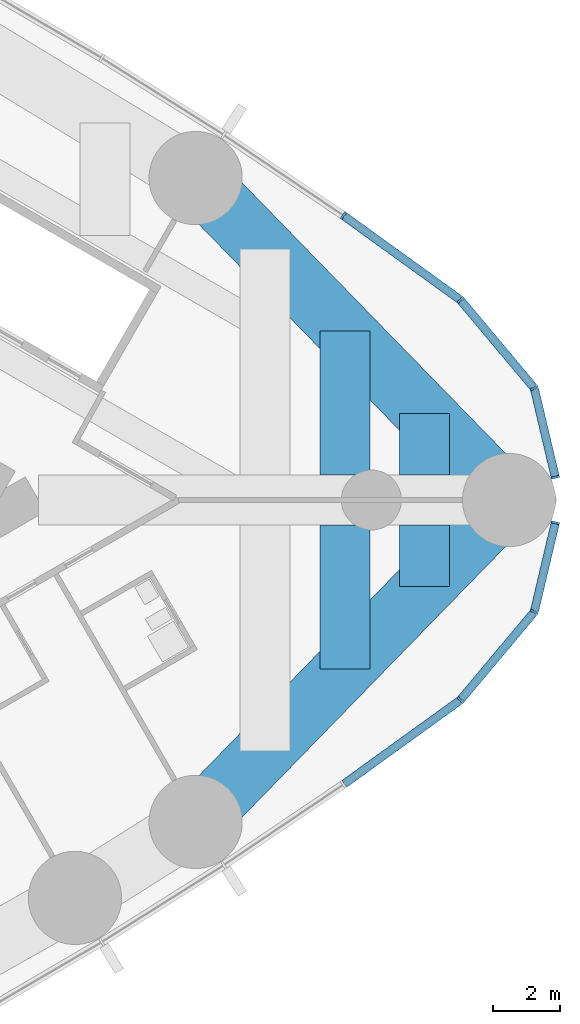
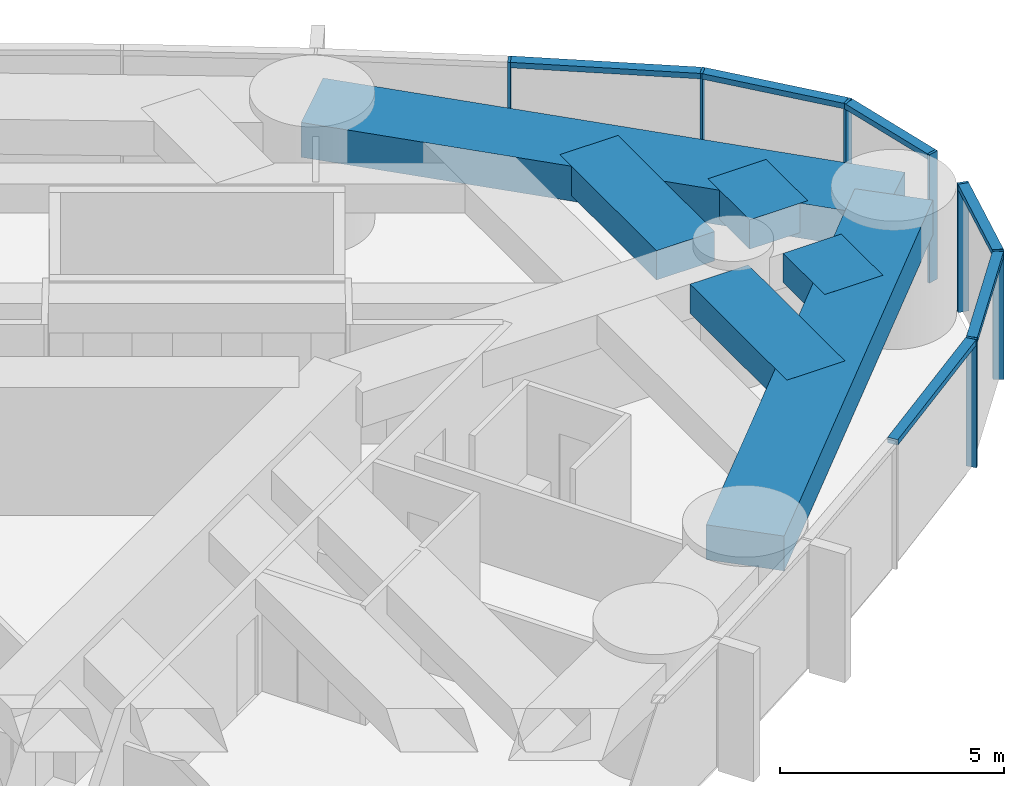
# One storey, part 9 of 19: 13 members, 6 beams, 2 elements without a shape of their own.
"""IFC4 building model written with IfcOpenShell, lengths in metres."""

from ifc_helpers import new_model, si_unit, direction, frame, origin, origin_2d, place, context, subcontext, project, spatial, rectangle, extrude, material, material_profile, profile_set, type_object, element, aggregate, save


model = new_model("IFC4")

# Units and contexts
model_context = context("Model", 3, precision=1e-05, world=origin(), true_north=direction((0.0, 1.0)))
body_context = subcontext(model_context, "Body", "Model", "MODEL_VIEW")
ifc_project = project(units=[si_unit("LENGTHUNIT", "METRE"), si_unit("AREAUNIT", "SQUARE_METRE"), si_unit("VOLUMEUNIT", "CUBIC_METRE"), si_unit("PLANEANGLEUNIT", "RADIAN"), si_unit("MASSUNIT", "GRAM", prefix="KILO")], contexts=[model_context])

# Site, building, storey
site_placement = place(None, origin())
site = spatial("IfcSite", under=ifc_project, at=site_placement, CompositionType="ELEMENT")
building_placement = place(site_placement, origin())
building = spatial("IfcBuilding", under=site, at=building_placement, Name="Lancet Gate Hotel", CompositionType="ELEMENT")
storey_placement = place(building_placement, frame((0.0, 0.0, 173.800048828125)))
storey = spatial("IfcBuildingStorey", under=building, at=storey_placement, Name="L46", CompositionType="ELEMENT", Elevation=173.800048828125)

# Curtain wall, members
ifc_material_1 = material(Name="Aluminium curtain wall", Category="aluminium")
curtain_wall_type = type_object("IfcCurtainWallType", Name="Tower unitised curtain wall", PredefinedType="USERDEFINED", material=ifc_material_1)
curtain_wall_1_placement = place(storey_placement, origin())
curtain_wall_1 = element("IfcCurtainWall", 1, at=curtain_wall_1_placement, inside=storey, type_object=curtain_wall_type, Name="T2 L46 curtain wall 2", ObjectType="UNITISED CURTAIN WALL", PredefinedType="USERDEFINED")
ifc_material_2 = material(Name="Aluminium mullion", Category="aluminium")
ifc_material_profile_1 = material_profile(ifc_material_2, rectangle(XDim=0.06494140625, YDim=0.25, at=origin_2d()), Name="MULLION 65x250")
ifc_profile_set_1 = profile_set([ifc_material_profile_1], Name="Aluminium mullion")
member_type_1 = type_object("IfcMemberType", Name="Aluminium mullion 65x250", PredefinedType="MULLION", material=ifc_profile_set_1)
member_1_placement = place(storey_placement, frame((64.174560546875, -6.01123046875, 0.0), z_axis=(0.0, 0.0, 1.0), x_axis=(0.741693452951, 0.670739011725, 0.0)))
member_1 = element("IfcMember", 2, at=member_1_placement, type_object=member_type_1, Name="T2 L46 curtain wall 2 mullion 10", PredefinedType="MULLION", context=body_context, shape_type="SweptSolid", body=[
    extrude(rectangle(XDim=0.06494140625, YDim=0.25, at=origin_2d()), origin(), (0.0, 0.0, 1.0), 3.5),
])
member_2_placement = place(storey_placement, frame((66.3935546875, -3.362548828125, 0.0), z_axis=(0.0, 0.0, 1.0), x_axis=(0.472146326362, 0.881520190638, 0.0)))
member_2 = element("IfcMember", 3, at=member_2_placement, type_object=member_type_1, Name="T2 L46 curtain wall 2 mullion 11", PredefinedType="MULLION", context=body_context, shape_type="SweptSolid", body=[
    extrude(rectangle(XDim=0.06494140625, YDim=0.25, at=origin_2d()), origin(), (0.0, 0.0, 1.0), 3.5),
])
member_3_placement = place(storey_placement, frame((67.027587890625, -0.684326171875, 0.0), z_axis=(0.0, 0.0, 1.0), x_axis=(0.230366568544, 0.973103922558, 0.0)))
member_3 = element("IfcMember", 4, at=member_3_placement, type_object=member_type_1, Name="T2 L46 curtain wall 2 mullion 12", PredefinedType="MULLION", context=body_context, shape_type="SweptSolid", body=[
    extrude(rectangle(XDim=0.06494140625, YDim=0.25, at=origin_2d()), origin(), (0.0, 0.0, 1.0), 3.5),
])

curtain_wall_2_placement = place(storey_placement, origin())
curtain_wall_2 = element("IfcCurtainWall", 5, at=curtain_wall_2_placement, inside=storey, type_object=curtain_wall_type, Name="T2 L46 curtain wall 3", ObjectType="UNITISED CURTAIN WALL", PredefinedType="USERDEFINED")
member_4_placement = place(storey_placement, frame((67.027587890625, 0.684326171875, 0.0), z_axis=(0.0, 0.0, 1.0), x_axis=(-0.230366568544, 0.973103922558, 0.0)))
member_4 = element("IfcMember", 6, at=member_4_placement, type_object=member_type_1, Name="T2 L46 curtain wall 3 mullion 1", PredefinedType="MULLION", context=body_context, shape_type="SweptSolid", body=[
    extrude(rectangle(XDim=0.06494140625, YDim=0.25, at=origin_2d()), origin(), (0.0, 0.0, 1.0), 3.5),
])
member_5_placement = place(storey_placement, frame((66.3935546875, 3.362548828125, 0.0), z_axis=(0.0, 0.0, 1.0), x_axis=(-0.472146326362, 0.881520190638, 0.0)))
member_5 = element("IfcMember", 7, at=member_5_placement, type_object=member_type_1, Name="T2 L46 curtain wall 3 mullion 2", PredefinedType="MULLION", context=body_context, shape_type="SweptSolid", body=[
    extrude(rectangle(XDim=0.06494140625, YDim=0.25, at=origin_2d()), origin(), (0.0, 0.0, 1.0), 3.5),
])
member_6_placement = place(storey_placement, frame((64.174560546875, 6.01123046875, 0.0), z_axis=(0.0, 0.0, 1.0), x_axis=(-0.741693452951, 0.670739011725, 0.0)))
member_6 = element("IfcMember", 8, at=member_6_placement, type_object=member_type_1, Name="T2 L46 curtain wall 3 mullion 3", PredefinedType="MULLION", context=body_context, shape_type="SweptSolid", body=[
    extrude(rectangle(XDim=0.06494140625, YDim=0.25, at=origin_2d()), origin(), (0.0, 0.0, 1.0), 3.5),
])
member_7_placement = place(storey_placement, frame((60.66015625, 8.547607421875, 0.0), z_axis=(0.0, 0.0, 1.0), x_axis=(-0.820068208435, 0.572265789222, 0.0)))
member_7 = element("IfcMember", 9, at=member_7_placement, type_object=member_type_1, Name="T2 L46 curtain wall 3 mullion 4", PredefinedType="MULLION", context=body_context, shape_type="SweptSolid", body=[
    extrude(rectangle(XDim=0.06494140625, YDim=0.25, at=origin_2d()), origin(), (0.0, 0.0, 1.0), 3.5),
])

# Member
ifc_material_3 = material(Name="Aluminium transom", Category="aluminium")
ifc_material_profile_2 = material_profile(ifc_material_3, rectangle(XDim=0.25, YDim=0.14990234375, at=origin_2d()), Name="TRANSOM 250x150")
ifc_profile_set_2 = profile_set([ifc_material_profile_2], Name="Aluminium transom")
member_type_2 = type_object("IfcMemberType", Name="Aluminium transom 250x150", PredefinedType="USERDEFINED", material=ifc_profile_set_2)
member_8_placement = place(storey_placement, frame((60.6865234375, -8.528564453125, 3.425048828125), z_axis=(0.810879747578, 0.585212811691, 0.0), x_axis=(-0.585212811691, 0.810879747578, 0.0)))
member_8 = element("IfcMember", 10, at=member_8_placement, type_object=member_type_2, Name="T2 L46 curtain wall 2 transom 9", ObjectType="TRANSOM", PredefinedType="USERDEFINED", context=body_context, shape_type="SweptSolid", body=[
    extrude(rectangle(XDim=0.25, YDim=0.14990234375, at=origin_2d()), origin(), (0.0, 0.0, 1.0), 4.26904296875),
])

member_9_placement = place(storey_placement, frame((64.1953125, -5.986328125, 3.425048828125), z_axis=(0.642229010215, 0.766512816878, 0.0), x_axis=(-0.766512816878, 0.642229010215, 0.0)))
member_9 = element("IfcMember", 11, at=member_9_placement, type_object=member_type_2, Name="T2 L46 curtain wall 2 transom 10", ObjectType="TRANSOM", PredefinedType="USERDEFINED", context=body_context, shape_type="SweptSolid", body=[
    extrude(rectangle(XDim=0.25, YDim=0.14990234375, at=origin_2d()), origin(), (0.0, 0.0, 1.0), 3.390625),
])

member_10_placement = place(storey_placement, frame((66.401123046875, -3.3310546875, 3.425048828125), z_axis=(0.230310174804, 0.973117271135, 0.0), x_axis=(-0.973117271135, 0.230310174804, 0.0)))
member_10 = element("IfcMember", 12, at=member_10_placement, type_object=member_type_2, Name="T2 L46 curtain wall 2 transom 11", ObjectType="TRANSOM", PredefinedType="USERDEFINED", context=body_context, shape_type="SweptSolid", body=[
    extrude(rectangle(XDim=0.25, YDim=0.14990234375, at=origin_2d()), origin(), (0.0, 0.0, 1.0), 2.687255859375),
])

aggregate(curtain_wall_1, [member_1, member_2, member_3, member_8, member_9, member_10])

member_11_placement = place(storey_placement, frame((67.02001953125, 0.716064453125, 3.425048828125), z_axis=(-0.230310174804, 0.973117271135, 0.0), x_axis=(-0.973117271135, -0.230310174804, 0.0)))
member_11 = element("IfcMember", 13, at=member_11_placement, type_object=member_type_2, Name="T2 L46 curtain wall 3 transom 1", ObjectType="TRANSOM", PredefinedType="USERDEFINED", context=body_context, shape_type="SweptSolid", body=[
    extrude(rectangle(XDim=0.25, YDim=0.14990234375, at=origin_2d()), origin(), (0.0, 0.0, 1.0), 2.687255859375),
])

member_12_placement = place(storey_placement, frame((66.372802734375, 3.387451171875, 3.425048828125), z_axis=(-0.642229010215, 0.766512816878, 0.0), x_axis=(-0.766512816878, -0.642229010215, 0.0)))
member_12 = element("IfcMember", 14, at=member_12_placement, type_object=member_type_2, Name="T2 L46 curtain wall 3 transom 2", ObjectType="TRANSOM", PredefinedType="USERDEFINED", context=body_context, shape_type="SweptSolid", body=[
    extrude(rectangle(XDim=0.25, YDim=0.14990234375, at=origin_2d()), origin(), (0.0, 0.0, 1.0), 3.390625),
])

member_13_placement = place(storey_placement, frame((64.148193359375, 6.0302734375, 3.425048828125), z_axis=(-0.810879747578, 0.585212811691, 0.0), x_axis=(-0.585212811691, -0.810879747578, 0.0)))
member_13 = element("IfcMember", 15, at=member_13_placement, type_object=member_type_2, Name="T2 L46 curtain wall 3 transom 3", ObjectType="TRANSOM", PredefinedType="USERDEFINED", context=body_context, shape_type="SweptSolid", body=[
    extrude(rectangle(XDim=0.25, YDim=0.14990234375, at=origin_2d()), origin(), (0.0, 0.0, 1.0), 4.26904296875),
])

aggregate(curtain_wall_2, [member_4, member_5, member_6, member_7, member_11, member_12, member_13])

# Beams
ifc_material_4 = material(Name="Concrete C50/60", Category="concrete")
ifc_material_profile_3 = material_profile(ifc_material_4, rectangle(XDim=1.800048828125, YDim=0.949951171875, at=origin_2d()), Name="RC 1800x950")
ifc_profile_set_3 = profile_set([ifc_material_profile_3], Name="Concrete C50/60")
beam_type_1 = type_object("IfcBeamType", Name="Edge beam RC 1800x950", PredefinedType="SPANDREL", material=ifc_profile_set_3)
for number, where, z_axis, x_axis, name in (
    (16, (56.220947265625, -9.67236328125, 2.77490234375), (0.697649905443, 0.716438838587, 0.0), (-0.716438838587, 0.697649905443, 0.0), "T2 edge beam EB1 L46"),
    (17, (65.6396484375, 0.0, 2.77490234375), (-0.697649905443, 0.716438838587, 0.0), (-0.716438838587, -0.697649905443, 0.0), "T2 edge beam EB1 L46"),
):
    element("IfcBeam", number, at=place(storey_placement, frame(where, z_axis=z_axis, x_axis=x_axis)), inside=storey, type_object=beam_type_1, Name=name, PredefinedType="SPANDREL", context=body_context, shape_type="SweptSolid", body=[
        extrude(rectangle(XDim=1.800048828125, YDim=0.949951171875, at=origin_2d()), origin(), (0.0, 0.0, 1.0), 13.500732421875),
    ])
ifc_material_5 = material(Name="Concrete C50/60", Category="concrete")
ifc_material_profile_4 = material_profile(ifc_material_5, rectangle(XDim=1.5, YDim=0.800048828125, at=origin_2d()), Name="RC 1500x800")
ifc_profile_set_4 = profile_set([ifc_material_profile_4], Name="Concrete C50/60")
beam_type_2 = type_object("IfcBeamType", Name="Floor beam RC 1500x800", PredefinedType="BEAM", material=ifc_profile_set_4)
for number, where, z_axis, x_axis, name in (
    (18, (60.7021484375, -5.0703125, 2.849853515625), (0.0, 1.0, 0.0), (-1.0, 0.0, 0.0), "T2 floor beam F14S L46"),
    (19, (60.7021484375, 0.75, 2.849853515625), (0.0, 1.0, 0.0), (-1.0, 0.0, 0.0), "T2 floor beam F15N L46"),
):
    element("IfcBeam", number, at=place(storey_placement, frame(where, z_axis=z_axis, x_axis=x_axis)), inside=storey, type_object=beam_type_2, Name=name, PredefinedType="BEAM", context=body_context, shape_type="SweptSolid", body=[
        extrude(rectangle(XDim=1.5, YDim=0.800048828125, at=origin_2d()), origin(), (0.0, 0.0, 1.0), 4.3203125),
    ])
for number, where, z_axis, x_axis, name in (
    (20, (63.102294921875, -2.605712890625, 2.849853515625), (0.0, 1.0, 0.0), (-1.0, 0.0, 0.0), "T2 floor beam F16S L46"),
    (21, (63.102294921875, 0.75, 2.849853515625), (0.0, 1.0, 0.0), (-1.0, 0.0, 0.0), "T2 floor beam F17N L46"),
):
    element("IfcBeam", number, at=place(storey_placement, frame(where, z_axis=z_axis, x_axis=x_axis)), inside=storey, type_object=beam_type_2, Name=name, PredefinedType="BEAM", context=body_context, shape_type="SweptSolid", body=[
        extrude(rectangle(XDim=1.5, YDim=0.800048828125, at=origin_2d()), origin(), (0.0, 0.0, 1.0), 1.855712890625),
    ])

save(model, "model.ifc")
